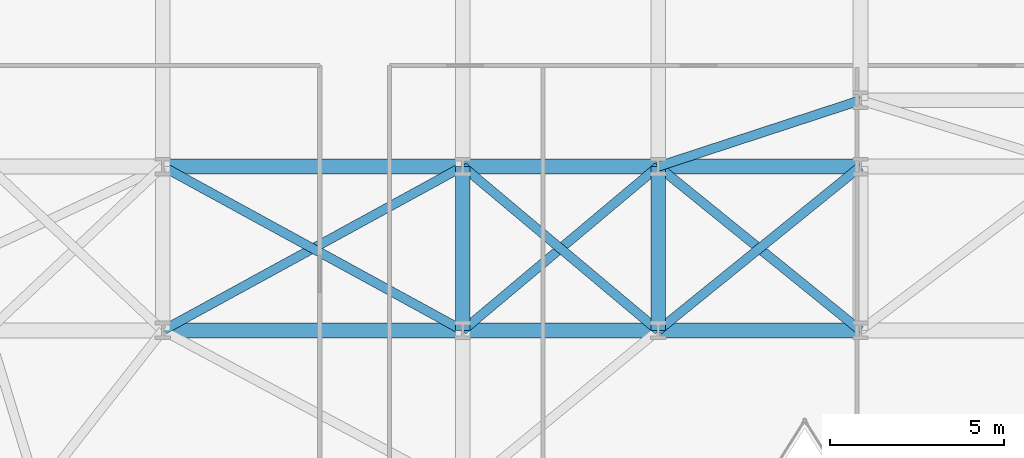
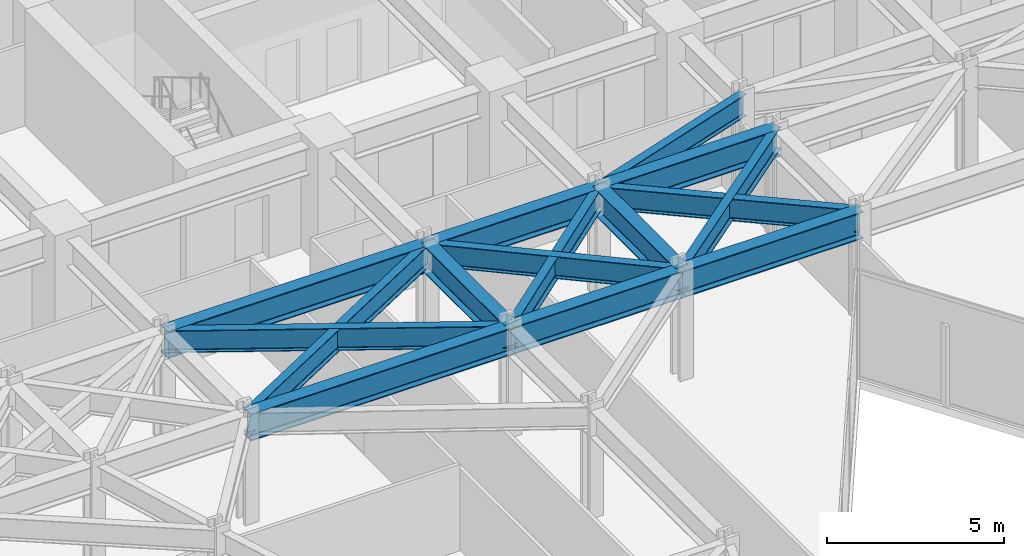
# One storey, part 11 of 25: 15 beams.
"""IFC4 building model written with IfcOpenShell, lengths in metres."""

from ifc_helpers import new_model, si_unit, direction, frame, origin, origin_2d, place, context, subcontext, project, spatial, i_section, extrude, material, material_profile, profile_set, type_object, element, save


model = new_model("IFC4")

# Units and contexts
model_context = context("Model", 3, precision=1e-05, world=origin(), true_north=direction((0.0, 1.0)))
body_context = subcontext(model_context, "Body", "Model", "MODEL_VIEW")
ifc_project = project(units=[si_unit("LENGTHUNIT", "METRE"), si_unit("AREAUNIT", "SQUARE_METRE"), si_unit("VOLUMEUNIT", "CUBIC_METRE"), si_unit("PLANEANGLEUNIT", "RADIAN"), si_unit("MASSUNIT", "GRAM", prefix="KILO")], contexts=[model_context])

# Site, building, storey
site_placement = place(None, origin())
site = spatial("IfcSite", under=ifc_project, at=site_placement, CompositionType="ELEMENT")
building_placement = place(site_placement, origin())
building = spatial("IfcBuilding", under=site, at=building_placement, Name="Kravanh Interchange Tower", CompositionType="ELEMENT")
storey_placement = place(building_placement, frame((0.0, 0.0, 49.5)))
storey = spatial("IfcBuildingStorey", under=building, at=storey_placement, Name="L11", CompositionType="ELEMENT", Elevation=49.5)

# Beams
ifc_material_1 = material(Name="Structural Steel S355", Category="steel")
ifc_material_profile_1 = material_profile(ifc_material_1, i_section(OverallWidth=0.41796875, OverallDepth=0.927001953125, WebThickness=0.019287109375, FlangeThickness=0.031982421875, FilletRadius=0.028076171875, at=origin_2d()), Name="W36X231")
ifc_profile_set_1 = profile_set([ifc_material_profile_1], Name="Structural Steel S355")
beam_type_1 = type_object("IfcBeamType", Name="Floor Beam W36X231 Structural Steel S355", PredefinedType="BEAM", material=ifc_profile_set_1)
beam_1_placement = place(storey_placement, frame((18.60009765625, 26.800048828125, 3.276611328125), z_axis=(1.0, 0.0, 0.0), x_axis=(0.0, 1.0, 0.0)))
element("IfcBeam", 1, at=beam_1_placement, inside=storey, type_object=beam_type_1, Name="L11 Primary Floor Girder 76", PredefinedType="BEAM", context=body_context, shape_type="SweptSolid", body=[
    extrude(i_section(OverallWidth=0.41796875, OverallDepth=0.927001953125, WebThickness=0.019287109375, FlangeThickness=0.031982421875, FilletRadius=0.028076171875, at=origin_2d()), origin(), (0.0, 0.0, 1.0), 8.599853515625),
])
beam_2_placement = place(storey_placement, frame((27.199951171875, 26.800048828125, 3.276611328125), z_axis=(0.0, 1.0, 0.0), x_axis=(-1.0, 0.0, 0.0)))
element("IfcBeam", 2, at=beam_2_placement, inside=storey, type_object=beam_type_1, Name="L11 Primary Floor Girder 78", PredefinedType="BEAM", context=body_context, shape_type="SweptSolid", body=[
    extrude(i_section(OverallWidth=0.41796875, OverallDepth=0.927001953125, WebThickness=0.019287109375, FlangeThickness=0.031982421875, FilletRadius=0.028076171875, at=origin_2d()), origin(), (0.0, 0.0, 1.0), 4.699951171875),
])
beam_3_placement = place(storey_placement, frame((27.199951171875, 26.800048828125, 3.276611328125), z_axis=(1.0, 0.0, 0.0), x_axis=(0.0, 1.0, 0.0)))
element("IfcBeam", 3, at=beam_3_placement, inside=storey, type_object=beam_type_1, Name="L11 Primary Floor Girder 79", PredefinedType="BEAM", context=body_context, shape_type="SweptSolid", body=[
    extrude(i_section(OverallWidth=0.41796875, OverallDepth=0.927001953125, WebThickness=0.019287109375, FlangeThickness=0.031982421875, FilletRadius=0.028076171875, at=origin_2d()), origin(), (0.0, 0.0, 1.0), 5.60009765625),
])
beam_4_placement = place(storey_placement, frame((32.800048828125, 26.800048828125, 3.276611328125), z_axis=(0.0, 1.0, 0.0), x_axis=(-1.0, 0.0, 0.0)))
element("IfcBeam", 4, at=beam_4_placement, inside=storey, type_object=beam_type_1, Name="L11 Primary Floor Girder 82", PredefinedType="BEAM", context=body_context, shape_type="SweptSolid", body=[
    extrude(i_section(OverallWidth=0.41796875, OverallDepth=0.927001953125, WebThickness=0.019287109375, FlangeThickness=0.031982421875, FilletRadius=0.028076171875, at=origin_2d()), origin(), (0.0, 0.0, 1.0), 4.699951171875),
])
beam_5_placement = place(storey_placement, frame((32.800048828125, 26.800048828125, 3.276611328125), z_axis=(1.0, 0.0, 0.0), x_axis=(0.0, 1.0, 0.0)))
element("IfcBeam", 5, at=beam_5_placement, inside=storey, type_object=beam_type_1, Name="L11 Primary Floor Girder 83", PredefinedType="BEAM", context=body_context, shape_type="SweptSolid", body=[
    extrude(i_section(OverallWidth=0.41796875, OverallDepth=0.927001953125, WebThickness=0.019287109375, FlangeThickness=0.031982421875, FilletRadius=0.028076171875, at=origin_2d()), origin(), (0.0, 0.0, 1.0), 5.800048828125),
])
beam_6_placement = place(storey_placement, frame((18.60009765625, 31.5, 3.276611328125), z_axis=(1.0, 0.0, 0.0), x_axis=(0.0, 1.0, 0.0)))
element("IfcBeam", 6, at=beam_6_placement, inside=storey, type_object=beam_type_1, Name="L11 Primary Floor Girder 106", PredefinedType="BEAM", context=body_context, shape_type="SweptSolid", body=[
    extrude(i_section(OverallWidth=0.41796875, OverallDepth=0.927001953125, WebThickness=0.019287109375, FlangeThickness=0.031982421875, FilletRadius=0.028076171875, at=origin_2d()), origin(), (0.0, 0.0, 1.0), 8.599853515625),
])
beam_7_placement = place(storey_placement, frame((27.199951171875, 31.5, 3.276611328125), z_axis=(1.0, 0.0, 0.0), x_axis=(0.0, 1.0, 0.0)))
element("IfcBeam", 7, at=beam_7_placement, inside=storey, type_object=beam_type_1, Name="L11 Primary Floor Girder 107", PredefinedType="BEAM", context=body_context, shape_type="SweptSolid", body=[
    extrude(i_section(OverallWidth=0.41796875, OverallDepth=0.927001953125, WebThickness=0.019287109375, FlangeThickness=0.031982421875, FilletRadius=0.028076171875, at=origin_2d()), origin(), (0.0, 0.0, 1.0), 5.60009765625),
])
beam_8_placement = place(storey_placement, frame((32.800048828125, 31.5, 3.276611328125), z_axis=(1.0, 0.0, 0.0), x_axis=(0.0, 1.0, 0.0)))
element("IfcBeam", 8, at=beam_8_placement, inside=storey, type_object=beam_type_1, Name="L11 Primary Floor Girder 109", PredefinedType="BEAM", context=body_context, shape_type="SweptSolid", body=[
    extrude(i_section(OverallWidth=0.41796875, OverallDepth=0.927001953125, WebThickness=0.019287109375, FlangeThickness=0.031982421875, FilletRadius=0.028076171875, at=origin_2d()), origin(), (0.0, 0.0, 1.0), 5.800048828125),
])
ifc_material_2 = material(Name="Structural Steel S355", Category="steel")
ifc_material_profile_2 = material_profile(ifc_material_2, i_section(OverallWidth=0.26708984375, OverallDepth=0.761962890625, WebThickness=0.014404296875, FlangeThickness=0.021484375, FilletRadius=0.02490234375, at=origin_2d()), Name="W30X116")
ifc_profile_set_2 = profile_set([ifc_material_profile_2], Name="Structural Steel S355")
beam_type_2 = type_object("IfcBeamType", Name="Floor Spandrel W30X116 Structural Steel S355", PredefinedType="SPANDREL", material=ifc_profile_set_2)
beam_9_placement = place(storey_placement, frame((18.60009765625, 26.800048828125, 3.35888671875), z_axis=(0.877503996342, 0.479569323877, 0.0), x_axis=(-0.479569323877, 0.877503996342, 0.0)))
element("IfcBeam", 9, at=beam_9_placement, inside=storey, type_object=beam_type_2, Name="L11 Perimeter Spandrel 77", PredefinedType="SPANDREL", context=body_context, shape_type="SweptSolid", body=[
    extrude(i_section(OverallWidth=0.26708984375, OverallDepth=0.761962890625, WebThickness=0.014404296875, FlangeThickness=0.021484375, FilletRadius=0.02490234375, at=origin_2d()), origin(), (0.0, 0.0, 1.0), 9.80029296875),
])
beam_10_placement = place(storey_placement, frame((27.199951171875, 26.800048828125, 3.35888671875), z_axis=(0.765983062929, 0.642860752657, 0.0), x_axis=(-0.642860752657, 0.765983062929, 0.0)))
element("IfcBeam", 10, at=beam_10_placement, inside=storey, type_object=beam_type_2, Name="L11 Perimeter Spandrel 80", PredefinedType="SPANDREL", context=body_context, shape_type="SweptSolid", body=[
    extrude(i_section(OverallWidth=0.26708984375, OverallDepth=0.761962890625, WebThickness=0.014404296875, FlangeThickness=0.021484375, FilletRadius=0.02490234375, at=origin_2d()), origin(), (0.0, 0.0, 1.0), 7.31103515625),
])
beam_11_placement = place(storey_placement, frame((27.199951171875, 26.800048828125, 3.35888671875), z_axis=(-0.877503996342, 0.479569323877, 0.0), x_axis=(-0.479569323877, -0.877503996342, 0.0)))
element("IfcBeam", 11, at=beam_11_placement, inside=storey, type_object=beam_type_2, Name="L11 Perimeter Spandrel 81", PredefinedType="SPANDREL", context=body_context, shape_type="SweptSolid", body=[
    extrude(i_section(OverallWidth=0.26708984375, OverallDepth=0.761962890625, WebThickness=0.014404296875, FlangeThickness=0.021484375, FilletRadius=0.02490234375, at=origin_2d()), origin(), (0.0, 0.0, 1.0), 9.80029296875),
])
beam_12_placement = place(storey_placement, frame((32.800048828125, 26.800048828125, 3.35888671875), z_axis=(-0.765983062929, 0.642860752657, 0.0), x_axis=(-0.642860752657, -0.765983062929, 0.0)))
element("IfcBeam", 12, at=beam_12_placement, inside=storey, type_object=beam_type_2, Name="L11 Perimeter Spandrel 84", PredefinedType="SPANDREL", context=body_context, shape_type="SweptSolid", body=[
    extrude(i_section(OverallWidth=0.26708984375, OverallDepth=0.761962890625, WebThickness=0.014404296875, FlangeThickness=0.021484375, FilletRadius=0.02490234375, at=origin_2d()), origin(), (0.0, 0.0, 1.0), 7.31103515625),
])
for number, where, z_axis, x_axis, name in (
    (13, (32.800048828125, 26.800048828125, 3.35888671875), (0.776938619557, 0.629576350764, 0.0), (-0.629576350764, 0.776938619557, 0.0), "L11 Perimeter Spandrel 85"),
    (14, (38.60009765625, 26.800048828125, 3.35888671875), (-0.776938619557, 0.629576350764, 0.0), (-0.629576350764, -0.776938619557, 0.0), "L11 Perimeter Spandrel 87"),
):
    element("IfcBeam", number, at=place(storey_placement, frame(where, z_axis=z_axis, x_axis=x_axis)), inside=storey, type_object=beam_type_2, Name=name, PredefinedType="SPANDREL", context=body_context, shape_type="SweptSolid", body=[
        extrude(i_section(OverallWidth=0.26708984375, OverallDepth=0.761962890625, WebThickness=0.014404296875, FlangeThickness=0.021484375, FilletRadius=0.02490234375, at=origin_2d()), origin(), (0.0, 0.0, 1.0), 7.46533203125),
    ])
beam_13_placement = place(storey_placement, frame((32.800048828125, 31.5, 3.35888671875), z_axis=(0.950314536578, 0.31129131303, 0.0), x_axis=(-0.31129131303, 0.950314536578, 0.0)))
element("IfcBeam", 15, at=beam_13_placement, inside=storey, type_object=beam_type_2, Name="L11 Perimeter Spandrel 110", PredefinedType="SPANDREL", context=body_context, shape_type="SweptSolid", body=[
    extrude(i_section(OverallWidth=0.26708984375, OverallDepth=0.761962890625, WebThickness=0.014404296875, FlangeThickness=0.021484375, FilletRadius=0.02490234375, at=origin_2d()), origin(), (0.0, 0.0, 1.0), 6.103271484375),
])

save(model, "model.ifc")
